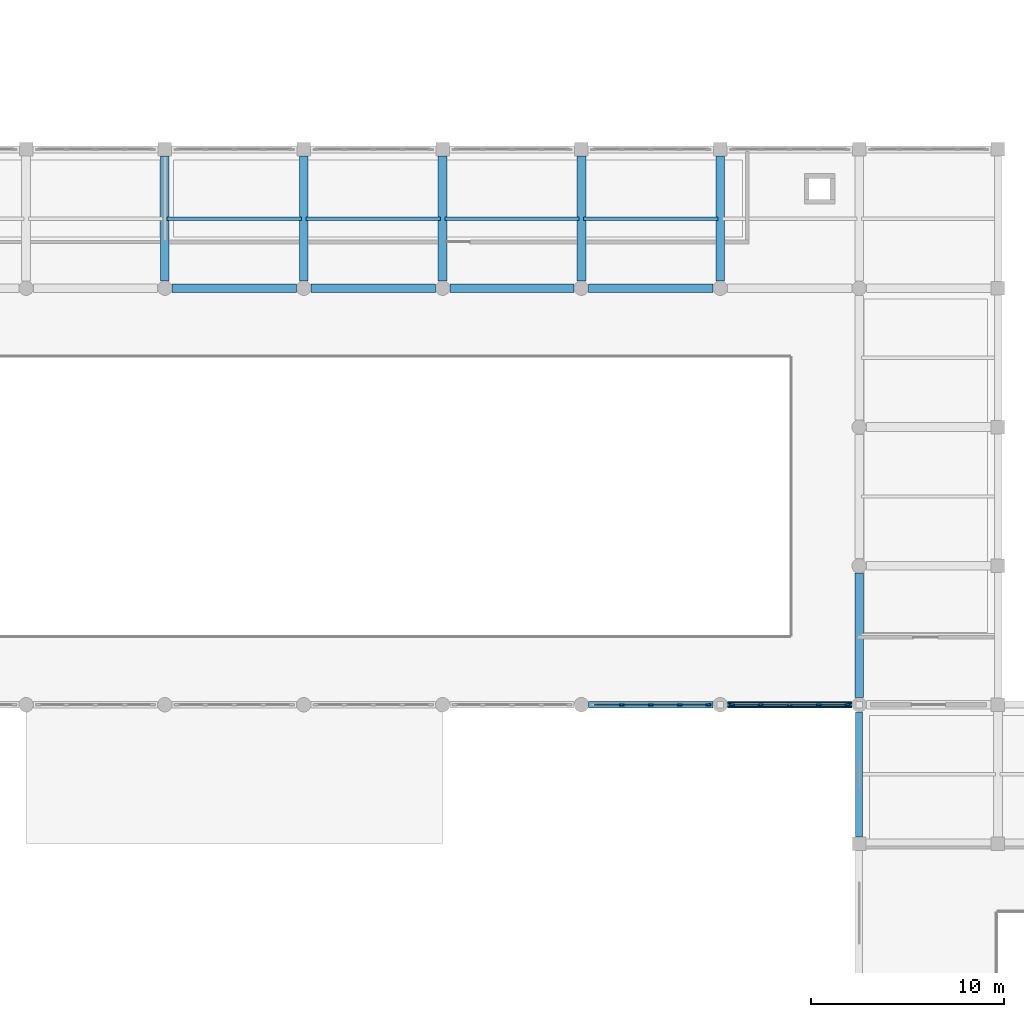
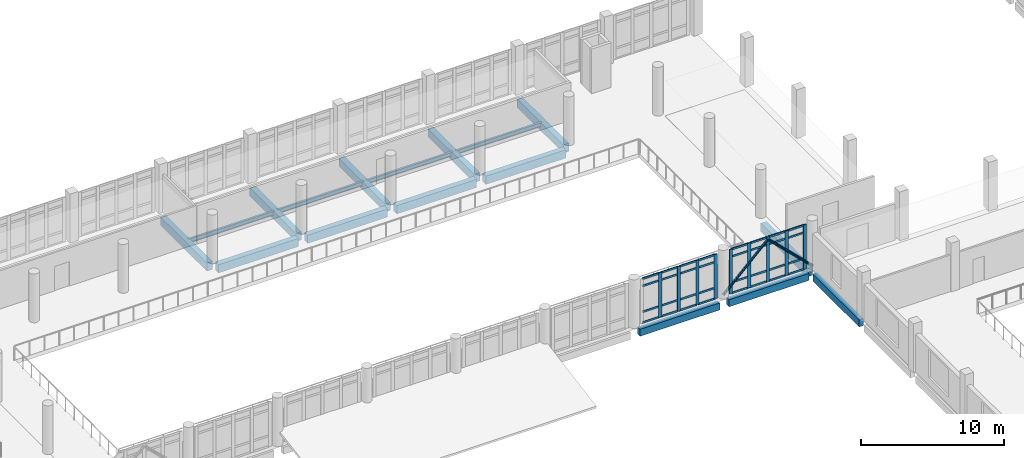
# One storey, part 13 of 57: 43 members, 17 beams, 2 elements without a shape of their own.
"""IFC4 building model written with IfcOpenShell, lengths in metres."""

from ifc_helpers import new_model, si_unit, direction, frame, origin, origin_2d, place, context, subcontext, project, spatial, rectangle, hollow_circle, i_section, extrude, material, layer, layer_set, material_profile, profile_set, type_object, element, aggregate, save


model = new_model("IFC4")

# Units and contexts
model_context = context("Model", 3, precision=1e-05, world=origin(), true_north=direction((0.0, 1.0)))
body_context = subcontext(model_context, "Body", "Model", "MODEL_VIEW")
ifc_project = project(units=[si_unit("LENGTHUNIT", "METRE"), si_unit("AREAUNIT", "SQUARE_METRE"), si_unit("VOLUMEUNIT", "CUBIC_METRE"), si_unit("PLANEANGLEUNIT", "RADIAN"), si_unit("MASSUNIT", "GRAM", prefix="KILO")], contexts=[model_context])

# Site, building, storey
site_placement = place(None, origin())
site = spatial("IfcSite", under=ifc_project, at=site_placement, CompositionType="ELEMENT")
building_placement = place(site_placement, origin())
building = spatial("IfcBuilding", under=site, at=building_placement, Name="Valkovuoma Quantum and Materials Research Institute", CompositionType="ELEMENT")
storey_placement = place(building_placement, frame((0.0, 0.0, 4.800048828125)))
storey = spatial("IfcBuildingStorey", under=building, at=storey_placement, Name="L01", CompositionType="ELEMENT", Elevation=4.800048828125)

# Beams
ifc_material_1 = material(Name="Steel S355J2", Category="steel")
ifc_material_profile_1 = material_profile(ifc_material_1, i_section(OverallWidth=0.169921875, OverallDepth=0.360107421875, WebThickness=0.008056640625, FlangeThickness=0.0126953125, FilletRadius=0.01806640625, at=origin_2d()), Name="Steel S355J2")
ifc_profile_set_1 = profile_set([ifc_material_profile_1], Name="Steel S355J2")
beam_type_1 = type_object("IfcBeamType", Name="Beam-B-JST360", PredefinedType="JOIST", material=ifc_profile_set_1)
for number, where, z_axis, x_axis, name in (
    (1, (64.919921875, 61.199951171875, -0.530029296875), (1.0, 0.0, 0.0), (0.0, 1.0, 0.0), "L01 floor joist 0913"),
    (2, (72.1201171875, 61.199951171875, -0.530029296875), (1.0, 0.0, 0.0), (0.0, 1.0, 0.0), "L01 floor joist 0914"),
    (3, (79.320068359375, 61.199951171875, -0.530029296875), (1.0, 0.0, 0.0), (0.0, 1.0, 0.0), "L01 floor joist 0915"),
    (4, (86.52001953125, 61.199951171875, -0.530029296875), (1.0, 0.0, 0.0), (0.0, 1.0, 0.0), "L01 floor joist 0916"),
):
    element("IfcBeam", number, at=place(storey_placement, frame(where, z_axis=z_axis, x_axis=x_axis)), inside=storey, type_object=beam_type_1, Name=name, PredefinedType="JOIST", context=body_context, shape_type="SweptSolid", body=[
        extrude(i_section(OverallWidth=0.169921875, OverallDepth=0.360107421875, WebThickness=0.008056640625, FlangeThickness=0.0126953125, FilletRadius=0.01806640625, at=origin_2d()), origin(), (0.0, 0.0, 1.0), 6.9599609375),
    ])
ifc_material_2 = material(Name="Concrete C40/50", Category="concrete")
ifc_material_profile_2 = material_profile(ifc_material_2, rectangle(XDim=0.449951171875, YDim=0.699951171875, at=origin_2d()), Name="Concrete C40/50")
ifc_profile_set_2 = profile_set([ifc_material_profile_2], Name="Concrete C40/50")
beam_type_2 = type_object("IfcBeamType", Name="Beam-B-RC700", PredefinedType="BEAM", material=ifc_profile_set_2)
for number, where, z_axis, x_axis, name in (
    (5, (65.175048828125, 57.60009765625, -0.699951171875), (1.0, 0.0, 0.0), (0.0, 1.0, 0.0), "L01 beam X-0617"),
    (6, (72.375, 57.60009765625, -0.699951171875), (1.0, 0.0, 0.0), (0.0, 1.0, 0.0), "L01 beam X-0618"),
    (7, (79.574951171875, 57.60009765625, -0.699951171875), (1.0, 0.0, 0.0), (0.0, 1.0, 0.0), "L01 beam X-0619"),
):
    element("IfcBeam", number, at=place(storey_placement, frame(where, z_axis=z_axis, x_axis=x_axis)), inside=storey, type_object=beam_type_2, Name=name, PredefinedType="BEAM", context=body_context, shape_type="SweptSolid", body=[
        extrude(rectangle(XDim=0.449951171875, YDim=0.699951171875, at=origin_2d()), origin(), (0.0, 0.0, 1.0), 6.449951171875),
    ])
beam_1_placement = place(storey_placement, frame((86.77490234375, 57.60009765625, -0.699951171875), z_axis=(1.0, 0.0, 0.0), x_axis=(0.0, 1.0, 0.0)))
element("IfcBeam", 8, at=beam_1_placement, inside=storey, type_object=beam_type_2, Name="L01 beam X-0620", PredefinedType="BEAM", context=body_context, shape_type="SweptSolid", body=[
    extrude(rectangle(XDim=0.449951171875, YDim=0.699951171875, at=origin_2d()), origin(), (0.0, 0.0, 1.0), 6.4501953125),
])
for number, where, z_axis, x_axis, name in (
    (9, (64.800048828125, 57.97509765625, -0.699951171875), (0.0, 1.0, 0.0), (-1.0, 0.0, 0.0), "L01 beam Y-0775"),
    (10, (72.0, 57.97509765625, -0.699951171875), (0.0, 1.0, 0.0), (-1.0, 0.0, 0.0), "L01 beam Y-0776"),
    (11, (79.199951171875, 57.97509765625, -0.699951171875), (0.0, 1.0, 0.0), (-1.0, 0.0, 0.0), "L01 beam Y-0777"),
    (12, (86.39990234375, 57.97509765625, -0.699951171875), (0.0, 1.0, 0.0), (-1.0, 0.0, 0.0), "L01 beam Y-0778"),
    (13, (93.60009765625, 57.97509765625, -0.699951171875), (0.0, 1.0, 0.0), (-1.0, 0.0, 0.0), "L01 beam Y-0779"),
):
    element("IfcBeam", number, at=place(storey_placement, frame(where, z_axis=z_axis, x_axis=x_axis)), inside=storey, type_object=beam_type_2, Name=name, PredefinedType="BEAM", context=body_context, shape_type="SweptSolid", body=[
        extrude(rectangle(XDim=0.449951171875, YDim=0.699951171875, at=origin_2d()), origin(), (0.0, 0.0, 1.0), 6.474853515625),
    ])
beam_2_placement = place(storey_placement, frame((100.800048828125, 36.375, -0.699951171875), z_axis=(0.0, 1.0, 0.0), x_axis=(-1.0, 0.0, 0.0)))
element("IfcBeam", 14, at=beam_2_placement, inside=storey, type_object=beam_type_2, Name="L01 beam Y-0784", PredefinedType="BEAM", context=body_context, shape_type="SweptSolid", body=[
    extrude(rectangle(XDim=0.449951171875, YDim=0.699951171875, at=origin_2d()), origin(), (0.0, 0.0, 1.0), 6.449951171875),
])
ifc_material_3 = material(Name="Concrete C40/50", Category="concrete")
ifc_material_profile_3 = material_profile(ifc_material_3, rectangle(XDim=0.35009765625, YDim=0.60009765625, at=origin_2d()), Name="Concrete C40/50")
ifc_profile_set_3 = profile_set([ifc_material_profile_3], Name="Concrete C40/50")
beam_type_3 = type_object("IfcBeamType", Name="Beam-B-SPN600", PredefinedType="SPANDREL", material=ifc_profile_set_3)
beam_3_placement = place(storey_placement, frame((86.77490234375, 36.0, -0.650146484375), z_axis=(1.0, 0.0, 0.0), x_axis=(0.0, 1.0, 0.0)))
element("IfcBeam", 15, at=beam_3_placement, inside=storey, type_object=beam_type_3, Name="L01 beam X-0574", PredefinedType="SPANDREL", context=body_context, shape_type="SweptSolid", body=[
    extrude(rectangle(XDim=0.35009765625, YDim=0.60009765625, at=origin_2d()), origin(), (0.0, 0.0, 1.0), 6.4501953125),
])
beam_4_placement = place(storey_placement, frame((93.97509765625, 36.0, -0.650146484375), z_axis=(1.0, 0.0, 0.0), x_axis=(0.0, 1.0, 0.0)))
element("IfcBeam", 16, at=beam_4_placement, inside=storey, type_object=beam_type_3, Name="L01 beam X-0575", PredefinedType="SPANDREL", context=body_context, shape_type="SweptSolid", body=[
    extrude(rectangle(XDim=0.35009765625, YDim=0.60009765625, at=origin_2d()), origin(), (0.0, 0.0, 1.0), 6.449951171875),
])
beam_5_placement = place(storey_placement, frame((100.800048828125, 29.14990234375, -0.650146484375), z_axis=(0.0, 1.0, 0.0), x_axis=(-1.0, 0.0, 0.0)))
element("IfcBeam", 17, at=beam_5_placement, inside=storey, type_object=beam_type_3, Name="L01 beam Y-0783", PredefinedType="SPANDREL", context=body_context, shape_type="SweptSolid", body=[
    extrude(rectangle(XDim=0.35009765625, YDim=0.60009765625, at=origin_2d()), origin(), (0.0, 0.0, 1.0), 6.47509765625),
])

# Curtain wall, members
ifc_material_4 = material(Name="Thermally broken aluminium and triple low-E glazing", Category="aluminium")
ifc_layer = layer(ifc_material_4, 0.219970703125)
ifc_layer_set = layer_set([ifc_layer], Name="Thermally broken aluminium and triple low-E glazing")
curtain_wall_type = type_object("IfcCurtainWallType", Name="CW-CW-02", PredefinedType="NOTDEFINED", material=ifc_layer_set)
curtain_wall_1_placement = place(storey_placement, origin())
curtain_wall_1 = element("IfcCurtainWall", 18, at=curtain_wall_1_placement, inside=storey, type_object=curtain_wall_type, Name="L01 curtain wall 169", PredefinedType="NOTDEFINED")
ifc_material_5 = material(Name="Anodised aluminium 6060-T66", Category="aluminium")
ifc_material_profile_4 = material_profile(ifc_material_5, rectangle(XDim=0.080078125, YDim=0.260009765625, at=origin_2d()), Name="Anodised aluminium 6060-T66")
ifc_profile_set_4 = profile_set([ifc_material_profile_4], Name="Anodised aluminium 6060-T66")
member_type_1 = type_object("IfcMemberType", Name="CWMull-CWM-03", PredefinedType="MULLION", material=ifc_profile_set_4)
member_1_placement = place(storey_placement, frame((88.489990234375, 36.0, 0.0), z_axis=(0.0, 0.0, 1.0), x_axis=(0.0, 1.0, 0.0)))
member_1 = element("IfcMember", 19, at=member_1_placement, type_object=member_type_1, Name="CW-02 mullion 2", PredefinedType="MULLION", context=body_context, shape_type="SweptSolid", body=[
    extrude(rectangle(XDim=0.080078125, YDim=0.260009765625, at=origin_2d()), origin(), (0.0, 0.0, 1.0), 3.81005859375),
])
member_2_placement = place(storey_placement, frame((90.0, 36.0, 0.0), z_axis=(0.0, 0.0, 1.0), x_axis=(0.0, 1.0, 0.0)))
member_2 = element("IfcMember", 20, at=member_2_placement, type_object=member_type_1, Name="CW-02 mullion 3", PredefinedType="MULLION", context=body_context, shape_type="SweptSolid", body=[
    extrude(rectangle(XDim=0.080078125, YDim=0.260009765625, at=origin_2d()), origin(), (0.0, 0.0, 1.0), 3.81005859375),
])
member_3_placement = place(storey_placement, frame((91.510009765625, 36.0, 0.0), z_axis=(0.0, 0.0, 1.0), x_axis=(0.0, 1.0, 0.0)))
member_3 = element("IfcMember", 21, at=member_3_placement, type_object=member_type_1, Name="CW-02 mullion 4", PredefinedType="MULLION", context=body_context, shape_type="SweptSolid", body=[
    extrude(rectangle(XDim=0.080078125, YDim=0.260009765625, at=origin_2d()), origin(), (0.0, 0.0, 1.0), 3.81005859375),
])
member_4_placement = place(storey_placement, frame((92.97998046875, 36.0, 0.0), z_axis=(0.0, 0.0, 1.0), x_axis=(0.0, 1.0, 0.0)))
member_4 = element("IfcMember", 22, at=member_4_placement, type_object=member_type_1, Name="CW-02 mullion 5", PredefinedType="MULLION", context=body_context, shape_type="SweptSolid", body=[
    extrude(rectangle(XDim=0.080078125, YDim=0.260009765625, at=origin_2d()), origin(), (0.0, 0.0, 1.0), 3.81005859375),
])

curtain_wall_2_placement = place(storey_placement, origin())
curtain_wall_2 = element("IfcCurtainWall", 23, at=curtain_wall_2_placement, inside=storey, type_object=curtain_wall_type, Name="L01 curtain wall 170", PredefinedType="NOTDEFINED")
member_5_placement = place(storey_placement, frame((94.219970703125, 36.0, 0.0), z_axis=(0.0, 0.0, 1.0), x_axis=(0.0, 1.0, 0.0)))
member_5 = element("IfcMember", 24, at=member_5_placement, type_object=member_type_1, Name="CW-02 mullion 1", PredefinedType="MULLION", context=body_context, shape_type="SweptSolid", body=[
    extrude(rectangle(XDim=0.080078125, YDim=0.260009765625, at=origin_2d()), origin(), (0.0, 0.0, 1.0), 3.81005859375),
])
member_6_placement = place(storey_placement, frame((95.68994140625, 36.0, 0.0), z_axis=(0.0, 0.0, 1.0), x_axis=(0.0, 1.0, 0.0)))
member_6 = element("IfcMember", 25, at=member_6_placement, type_object=member_type_1, Name="CW-02 mullion 2", PredefinedType="MULLION", context=body_context, shape_type="SweptSolid", body=[
    extrude(rectangle(XDim=0.080078125, YDim=0.260009765625, at=origin_2d()), origin(), (0.0, 0.0, 1.0), 3.81005859375),
])
member_7_placement = place(storey_placement, frame((97.199951171875, 36.0, 0.0), z_axis=(0.0, 0.0, 1.0), x_axis=(0.0, 1.0, 0.0)))
member_7 = element("IfcMember", 26, at=member_7_placement, type_object=member_type_1, Name="CW-02 mullion 3", PredefinedType="MULLION", context=body_context, shape_type="SweptSolid", body=[
    extrude(rectangle(XDim=0.080078125, YDim=0.260009765625, at=origin_2d()), origin(), (0.0, 0.0, 1.0), 3.81005859375),
])
member_8_placement = place(storey_placement, frame((98.7099609375, 36.0, 0.0), z_axis=(0.0, 0.0, 1.0), x_axis=(0.0, 1.0, 0.0)))
member_8 = element("IfcMember", 27, at=member_8_placement, type_object=member_type_1, Name="CW-02 mullion 4", PredefinedType="MULLION", context=body_context, shape_type="SweptSolid", body=[
    extrude(rectangle(XDim=0.080078125, YDim=0.260009765625, at=origin_2d()), origin(), (0.0, 0.0, 1.0), 3.81005859375),
])
member_9_placement = place(storey_placement, frame((100.179931640625, 36.0, 0.0), z_axis=(0.0, 0.0, 1.0), x_axis=(0.0, 1.0, 0.0)))
member_9 = element("IfcMember", 28, at=member_9_placement, type_object=member_type_1, Name="CW-02 mullion 5", PredefinedType="MULLION", context=body_context, shape_type="SweptSolid", body=[
    extrude(rectangle(XDim=0.080078125, YDim=0.260009765625, at=origin_2d()), origin(), (0.0, 0.0, 1.0), 3.81005859375),
])

# Member
ifc_material_6 = material(Name="Anodised aluminium 6060-T66", Category="aluminium")
ifc_material_profile_5 = material_profile(ifc_material_6, rectangle(XDim=0.074951171875, YDim=0.159912109375, at=origin_2d()), Name="Anodised aluminium 6060-T66")
ifc_profile_set_5 = profile_set([ifc_material_profile_5], Name="Anodised aluminium 6060-T66")
member_type_2 = type_object("IfcMemberType", Name="CWTran-CWT-02", PredefinedType="USERDEFINED", material=ifc_profile_set_5)
member_10_placement = place(storey_placement, frame((87.06005859375, 36.0, 0.037353515625), z_axis=(1.0, 0.0, 0.0), x_axis=(0.0, 1.0, 0.0)))
member_10 = element("IfcMember", 29, at=member_10_placement, type_object=member_type_2, Name="CW-02 transom 1.1", ObjectType="TRANSOM", PredefinedType="USERDEFINED", context=body_context, shape_type="SweptSolid", body=[
    extrude(rectangle(XDim=0.074951171875, YDim=0.159912109375, at=origin_2d()), origin(), (0.0, 0.0, 1.0), 1.389892578125),
])

member_11_placement = place(storey_placement, frame((87.06005859375, 36.0, 0.949951171875), z_axis=(1.0, 0.0, 0.0), x_axis=(0.0, 1.0, 0.0)))
member_11 = element("IfcMember", 30, at=member_11_placement, type_object=member_type_2, Name="CW-02 transom 1.2", ObjectType="TRANSOM", PredefinedType="USERDEFINED", context=body_context, shape_type="SweptSolid", body=[
    extrude(rectangle(XDim=0.074951171875, YDim=0.159912109375, at=origin_2d()), origin(), (0.0, 0.0, 1.0), 1.389892578125),
])

member_12_placement = place(storey_placement, frame((87.06005859375, 36.0, 3.159912109375), z_axis=(1.0, 0.0, 0.0), x_axis=(0.0, 1.0, 0.0)))
member_12 = element("IfcMember", 31, at=member_12_placement, type_object=member_type_2, Name="CW-02 transom 1.3", ObjectType="TRANSOM", PredefinedType="USERDEFINED", context=body_context, shape_type="SweptSolid", body=[
    extrude(rectangle(XDim=0.074951171875, YDim=0.159912109375, at=origin_2d()), origin(), (0.0, 0.0, 1.0), 1.389892578125),
])

member_13_placement = place(storey_placement, frame((87.06005859375, 36.0, 3.7724609375), z_axis=(1.0, 0.0, 0.0), x_axis=(0.0, 1.0, 0.0)))
member_13 = element("IfcMember", 32, at=member_13_placement, type_object=member_type_2, Name="CW-02 transom 1.4", ObjectType="TRANSOM", PredefinedType="USERDEFINED", context=body_context, shape_type="SweptSolid", body=[
    extrude(rectangle(XDim=0.074951171875, YDim=0.159912109375, at=origin_2d()), origin(), (0.0, 0.0, 1.0), 1.389892578125),
])

member_14_placement = place(storey_placement, frame((88.530029296875, 36.0, 0.037353515625), z_axis=(1.0, 0.0, 0.0), x_axis=(0.0, 1.0, 0.0)))
member_14 = element("IfcMember", 33, at=member_14_placement, type_object=member_type_2, Name="CW-02 transom 2.1", ObjectType="TRANSOM", PredefinedType="USERDEFINED", context=body_context, shape_type="SweptSolid", body=[
    extrude(rectangle(XDim=0.074951171875, YDim=0.159912109375, at=origin_2d()), origin(), (0.0, 0.0, 1.0), 1.429931640625),
])

member_15_placement = place(storey_placement, frame((88.530029296875, 36.0, 0.949951171875), z_axis=(1.0, 0.0, 0.0), x_axis=(0.0, 1.0, 0.0)))
member_15 = element("IfcMember", 34, at=member_15_placement, type_object=member_type_2, Name="CW-02 transom 2.2", ObjectType="TRANSOM", PredefinedType="USERDEFINED", context=body_context, shape_type="SweptSolid", body=[
    extrude(rectangle(XDim=0.074951171875, YDim=0.159912109375, at=origin_2d()), origin(), (0.0, 0.0, 1.0), 1.429931640625),
])

member_16_placement = place(storey_placement, frame((88.530029296875, 36.0, 3.159912109375), z_axis=(1.0, 0.0, 0.0), x_axis=(0.0, 1.0, 0.0)))
member_16 = element("IfcMember", 35, at=member_16_placement, type_object=member_type_2, Name="CW-02 transom 2.3", ObjectType="TRANSOM", PredefinedType="USERDEFINED", context=body_context, shape_type="SweptSolid", body=[
    extrude(rectangle(XDim=0.074951171875, YDim=0.159912109375, at=origin_2d()), origin(), (0.0, 0.0, 1.0), 1.429931640625),
])

member_17_placement = place(storey_placement, frame((88.530029296875, 36.0, 3.7724609375), z_axis=(1.0, 0.0, 0.0), x_axis=(0.0, 1.0, 0.0)))
member_17 = element("IfcMember", 36, at=member_17_placement, type_object=member_type_2, Name="CW-02 transom 2.4", ObjectType="TRANSOM", PredefinedType="USERDEFINED", context=body_context, shape_type="SweptSolid", body=[
    extrude(rectangle(XDim=0.074951171875, YDim=0.159912109375, at=origin_2d()), origin(), (0.0, 0.0, 1.0), 1.429931640625),
])

member_18_placement = place(storey_placement, frame((90.0400390625, 36.0, 0.037353515625), z_axis=(1.0, 0.0, 0.0), x_axis=(0.0, 1.0, 0.0)))
member_18 = element("IfcMember", 37, at=member_18_placement, type_object=member_type_2, Name="CW-02 transom 3.1", ObjectType="TRANSOM", PredefinedType="USERDEFINED", context=body_context, shape_type="SweptSolid", body=[
    extrude(rectangle(XDim=0.074951171875, YDim=0.159912109375, at=origin_2d()), origin(), (0.0, 0.0, 1.0), 1.429931640625),
])

member_19_placement = place(storey_placement, frame((90.0400390625, 36.0, 0.949951171875), z_axis=(1.0, 0.0, 0.0), x_axis=(0.0, 1.0, 0.0)))
member_19 = element("IfcMember", 38, at=member_19_placement, type_object=member_type_2, Name="CW-02 transom 3.2", ObjectType="TRANSOM", PredefinedType="USERDEFINED", context=body_context, shape_type="SweptSolid", body=[
    extrude(rectangle(XDim=0.074951171875, YDim=0.159912109375, at=origin_2d()), origin(), (0.0, 0.0, 1.0), 1.429931640625),
])

member_20_placement = place(storey_placement, frame((90.0400390625, 36.0, 3.159912109375), z_axis=(1.0, 0.0, 0.0), x_axis=(0.0, 1.0, 0.0)))
member_20 = element("IfcMember", 39, at=member_20_placement, type_object=member_type_2, Name="CW-02 transom 3.3", ObjectType="TRANSOM", PredefinedType="USERDEFINED", context=body_context, shape_type="SweptSolid", body=[
    extrude(rectangle(XDim=0.074951171875, YDim=0.159912109375, at=origin_2d()), origin(), (0.0, 0.0, 1.0), 1.429931640625),
])

member_21_placement = place(storey_placement, frame((90.0400390625, 36.0, 3.7724609375), z_axis=(1.0, 0.0, 0.0), x_axis=(0.0, 1.0, 0.0)))
member_21 = element("IfcMember", 40, at=member_21_placement, type_object=member_type_2, Name="CW-02 transom 3.4", ObjectType="TRANSOM", PredefinedType="USERDEFINED", context=body_context, shape_type="SweptSolid", body=[
    extrude(rectangle(XDim=0.074951171875, YDim=0.159912109375, at=origin_2d()), origin(), (0.0, 0.0, 1.0), 1.429931640625),
])

member_22_placement = place(storey_placement, frame((91.550048828125, 36.0, 0.037353515625), z_axis=(1.0, 0.0, 0.0), x_axis=(0.0, 1.0, 0.0)))
member_22 = element("IfcMember", 41, at=member_22_placement, type_object=member_type_2, Name="CW-02 transom 4.1", ObjectType="TRANSOM", PredefinedType="USERDEFINED", context=body_context, shape_type="SweptSolid", body=[
    extrude(rectangle(XDim=0.074951171875, YDim=0.159912109375, at=origin_2d()), origin(), (0.0, 0.0, 1.0), 1.389892578125),
])

member_23_placement = place(storey_placement, frame((91.550048828125, 36.0, 0.949951171875), z_axis=(1.0, 0.0, 0.0), x_axis=(0.0, 1.0, 0.0)))
member_23 = element("IfcMember", 42, at=member_23_placement, type_object=member_type_2, Name="CW-02 transom 4.2", ObjectType="TRANSOM", PredefinedType="USERDEFINED", context=body_context, shape_type="SweptSolid", body=[
    extrude(rectangle(XDim=0.074951171875, YDim=0.159912109375, at=origin_2d()), origin(), (0.0, 0.0, 1.0), 1.389892578125),
])

member_24_placement = place(storey_placement, frame((91.550048828125, 36.0, 3.159912109375), z_axis=(1.0, 0.0, 0.0), x_axis=(0.0, 1.0, 0.0)))
member_24 = element("IfcMember", 43, at=member_24_placement, type_object=member_type_2, Name="CW-02 transom 4.3", ObjectType="TRANSOM", PredefinedType="USERDEFINED", context=body_context, shape_type="SweptSolid", body=[
    extrude(rectangle(XDim=0.074951171875, YDim=0.159912109375, at=origin_2d()), origin(), (0.0, 0.0, 1.0), 1.389892578125),
])

member_25_placement = place(storey_placement, frame((91.550048828125, 36.0, 3.7724609375), z_axis=(1.0, 0.0, 0.0), x_axis=(0.0, 1.0, 0.0)))
member_25 = element("IfcMember", 44, at=member_25_placement, type_object=member_type_2, Name="CW-02 transom 4.4", ObjectType="TRANSOM", PredefinedType="USERDEFINED", context=body_context, shape_type="SweptSolid", body=[
    extrude(rectangle(XDim=0.074951171875, YDim=0.159912109375, at=origin_2d()), origin(), (0.0, 0.0, 1.0), 1.389892578125),
])

aggregate(curtain_wall_1, [member_1, member_2, member_3, member_4, member_10, member_11, member_12, member_13, member_14, member_15, member_16, member_17, member_18, member_19, member_20, member_21, member_22, member_23, member_24, member_25])

member_26_placement = place(storey_placement, frame((94.260009765625, 36.0, 0.037353515625), z_axis=(1.0, 0.0, 0.0), x_axis=(0.0, 1.0, 0.0)))
member_26 = element("IfcMember", 45, at=member_26_placement, type_object=member_type_2, Name="CW-02 transom 1.1", ObjectType="TRANSOM", PredefinedType="USERDEFINED", context=body_context, shape_type="SweptSolid", body=[
    extrude(rectangle(XDim=0.074951171875, YDim=0.159912109375, at=origin_2d()), origin(), (0.0, 0.0, 1.0), 1.389892578125),
])

member_27_placement = place(storey_placement, frame((94.260009765625, 36.0, 0.949951171875), z_axis=(1.0, 0.0, 0.0), x_axis=(0.0, 1.0, 0.0)))
member_27 = element("IfcMember", 46, at=member_27_placement, type_object=member_type_2, Name="CW-02 transom 1.2", ObjectType="TRANSOM", PredefinedType="USERDEFINED", context=body_context, shape_type="SweptSolid", body=[
    extrude(rectangle(XDim=0.074951171875, YDim=0.159912109375, at=origin_2d()), origin(), (0.0, 0.0, 1.0), 1.389892578125),
])

member_28_placement = place(storey_placement, frame((94.260009765625, 36.0, 3.159912109375), z_axis=(1.0, 0.0, 0.0), x_axis=(0.0, 1.0, 0.0)))
member_28 = element("IfcMember", 47, at=member_28_placement, type_object=member_type_2, Name="CW-02 transom 1.3", ObjectType="TRANSOM", PredefinedType="USERDEFINED", context=body_context, shape_type="SweptSolid", body=[
    extrude(rectangle(XDim=0.074951171875, YDim=0.159912109375, at=origin_2d()), origin(), (0.0, 0.0, 1.0), 1.389892578125),
])

member_29_placement = place(storey_placement, frame((94.260009765625, 36.0, 3.7724609375), z_axis=(1.0, 0.0, 0.0), x_axis=(0.0, 1.0, 0.0)))
member_29 = element("IfcMember", 48, at=member_29_placement, type_object=member_type_2, Name="CW-02 transom 1.4", ObjectType="TRANSOM", PredefinedType="USERDEFINED", context=body_context, shape_type="SweptSolid", body=[
    extrude(rectangle(XDim=0.074951171875, YDim=0.159912109375, at=origin_2d()), origin(), (0.0, 0.0, 1.0), 1.389892578125),
])

member_30_placement = place(storey_placement, frame((95.72998046875, 36.0, 0.037353515625), z_axis=(1.0, 0.0, 0.0), x_axis=(0.0, 1.0, 0.0)))
member_30 = element("IfcMember", 49, at=member_30_placement, type_object=member_type_2, Name="CW-02 transom 2.1", ObjectType="TRANSOM", PredefinedType="USERDEFINED", context=body_context, shape_type="SweptSolid", body=[
    extrude(rectangle(XDim=0.074951171875, YDim=0.159912109375, at=origin_2d()), origin(), (0.0, 0.0, 1.0), 1.429931640625),
])

member_31_placement = place(storey_placement, frame((95.72998046875, 36.0, 0.949951171875), z_axis=(1.0, 0.0, 0.0), x_axis=(0.0, 1.0, 0.0)))
member_31 = element("IfcMember", 50, at=member_31_placement, type_object=member_type_2, Name="CW-02 transom 2.2", ObjectType="TRANSOM", PredefinedType="USERDEFINED", context=body_context, shape_type="SweptSolid", body=[
    extrude(rectangle(XDim=0.074951171875, YDim=0.159912109375, at=origin_2d()), origin(), (0.0, 0.0, 1.0), 1.429931640625),
])

member_32_placement = place(storey_placement, frame((95.72998046875, 36.0, 3.159912109375), z_axis=(1.0, 0.0, 0.0), x_axis=(0.0, 1.0, 0.0)))
member_32 = element("IfcMember", 51, at=member_32_placement, type_object=member_type_2, Name="CW-02 transom 2.3", ObjectType="TRANSOM", PredefinedType="USERDEFINED", context=body_context, shape_type="SweptSolid", body=[
    extrude(rectangle(XDim=0.074951171875, YDim=0.159912109375, at=origin_2d()), origin(), (0.0, 0.0, 1.0), 1.429931640625),
])

member_33_placement = place(storey_placement, frame((95.72998046875, 36.0, 3.7724609375), z_axis=(1.0, 0.0, 0.0), x_axis=(0.0, 1.0, 0.0)))
member_33 = element("IfcMember", 52, at=member_33_placement, type_object=member_type_2, Name="CW-02 transom 2.4", ObjectType="TRANSOM", PredefinedType="USERDEFINED", context=body_context, shape_type="SweptSolid", body=[
    extrude(rectangle(XDim=0.074951171875, YDim=0.159912109375, at=origin_2d()), origin(), (0.0, 0.0, 1.0), 1.429931640625),
])

member_34_placement = place(storey_placement, frame((97.239990234375, 36.0, 0.037353515625), z_axis=(1.0, 0.0, 0.0), x_axis=(0.0, 1.0, 0.0)))
member_34 = element("IfcMember", 53, at=member_34_placement, type_object=member_type_2, Name="CW-02 transom 3.1", ObjectType="TRANSOM", PredefinedType="USERDEFINED", context=body_context, shape_type="SweptSolid", body=[
    extrude(rectangle(XDim=0.074951171875, YDim=0.159912109375, at=origin_2d()), origin(), (0.0, 0.0, 1.0), 1.429931640625),
])

member_35_placement = place(storey_placement, frame((97.239990234375, 36.0, 0.949951171875), z_axis=(1.0, 0.0, 0.0), x_axis=(0.0, 1.0, 0.0)))
member_35 = element("IfcMember", 54, at=member_35_placement, type_object=member_type_2, Name="CW-02 transom 3.2", ObjectType="TRANSOM", PredefinedType="USERDEFINED", context=body_context, shape_type="SweptSolid", body=[
    extrude(rectangle(XDim=0.074951171875, YDim=0.159912109375, at=origin_2d()), origin(), (0.0, 0.0, 1.0), 1.429931640625),
])

member_36_placement = place(storey_placement, frame((97.239990234375, 36.0, 3.159912109375), z_axis=(1.0, 0.0, 0.0), x_axis=(0.0, 1.0, 0.0)))
member_36 = element("IfcMember", 55, at=member_36_placement, type_object=member_type_2, Name="CW-02 transom 3.3", ObjectType="TRANSOM", PredefinedType="USERDEFINED", context=body_context, shape_type="SweptSolid", body=[
    extrude(rectangle(XDim=0.074951171875, YDim=0.159912109375, at=origin_2d()), origin(), (0.0, 0.0, 1.0), 1.429931640625),
])

member_37_placement = place(storey_placement, frame((97.239990234375, 36.0, 3.7724609375), z_axis=(1.0, 0.0, 0.0), x_axis=(0.0, 1.0, 0.0)))
member_37 = element("IfcMember", 56, at=member_37_placement, type_object=member_type_2, Name="CW-02 transom 3.4", ObjectType="TRANSOM", PredefinedType="USERDEFINED", context=body_context, shape_type="SweptSolid", body=[
    extrude(rectangle(XDim=0.074951171875, YDim=0.159912109375, at=origin_2d()), origin(), (0.0, 0.0, 1.0), 1.429931640625),
])

member_38_placement = place(storey_placement, frame((98.75, 36.0, 0.037353515625), z_axis=(1.0, 0.0, 0.0), x_axis=(0.0, 1.0, 0.0)))
member_38 = element("IfcMember", 57, at=member_38_placement, type_object=member_type_2, Name="CW-02 transom 4.1", ObjectType="TRANSOM", PredefinedType="USERDEFINED", context=body_context, shape_type="SweptSolid", body=[
    extrude(rectangle(XDim=0.074951171875, YDim=0.159912109375, at=origin_2d()), origin(), (0.0, 0.0, 1.0), 1.389892578125),
])

member_39_placement = place(storey_placement, frame((98.75, 36.0, 0.949951171875), z_axis=(1.0, 0.0, 0.0), x_axis=(0.0, 1.0, 0.0)))
member_39 = element("IfcMember", 58, at=member_39_placement, type_object=member_type_2, Name="CW-02 transom 4.2", ObjectType="TRANSOM", PredefinedType="USERDEFINED", context=body_context, shape_type="SweptSolid", body=[
    extrude(rectangle(XDim=0.074951171875, YDim=0.159912109375, at=origin_2d()), origin(), (0.0, 0.0, 1.0), 1.389892578125),
])

member_40_placement = place(storey_placement, frame((98.75, 36.0, 3.159912109375), z_axis=(1.0, 0.0, 0.0), x_axis=(0.0, 1.0, 0.0)))
member_40 = element("IfcMember", 59, at=member_40_placement, type_object=member_type_2, Name="CW-02 transom 4.3", ObjectType="TRANSOM", PredefinedType="USERDEFINED", context=body_context, shape_type="SweptSolid", body=[
    extrude(rectangle(XDim=0.074951171875, YDim=0.159912109375, at=origin_2d()), origin(), (0.0, 0.0, 1.0), 1.389892578125),
])

member_41_placement = place(storey_placement, frame((98.75, 36.0, 3.7724609375), z_axis=(1.0, 0.0, 0.0), x_axis=(0.0, 1.0, 0.0)))
member_41 = element("IfcMember", 60, at=member_41_placement, type_object=member_type_2, Name="CW-02 transom 4.4", ObjectType="TRANSOM", PredefinedType="USERDEFINED", context=body_context, shape_type="SweptSolid", body=[
    extrude(rectangle(XDim=0.074951171875, YDim=0.159912109375, at=origin_2d()), origin(), (0.0, 0.0, 1.0), 1.389892578125),
])

aggregate(curtain_wall_2, [member_5, member_6, member_7, member_8, member_9, member_26, member_27, member_28, member_29, member_30, member_31, member_32, member_33, member_34, member_35, member_36, member_37, member_38, member_39, member_40, member_41])

# Members
ifc_material_7 = material(Name="Steel S355J2H", Category="steel")
ifc_material_profile_6 = material_profile(ifc_material_7, hollow_circle(Radius=0.109619140625, WallThickness=0.010009765625, at=origin_2d()), Name="Steel S355J2H")
ifc_profile_set_6 = profile_set([ifc_material_profile_6], Name="Steel S355J2H")
member_type_3 = type_object("IfcMemberType", Name="Mem-M-BRC219", PredefinedType="BRACE", material=ifc_profile_set_6)
member_42_placement = place(storey_placement, frame((93.60009765625, 36.0, 0.099853515625), z_axis=(0.715984969996, 0.0, 0.69811569438), x_axis=(0.0, 1.0, 0.0)))
element("IfcMember", 61, at=member_42_placement, inside=storey, type_object=member_type_3, Name="L01 chevron wind brace 06A", PredefinedType="BRACE", context=body_context, shape_type="SweptSolid", body=[
    extrude(hollow_circle(Radius=0.109619140625, WallThickness=0.010009765625, at=origin_2d()), origin(), (0.0, 0.0, 1.0), 5.02783203125),
])
member_43_placement = place(storey_placement, frame((100.800048828125, 36.0, 0.099853515625), z_axis=(-0.716008634166, 0.0, 0.698091423668), x_axis=(0.0, -1.0, 0.0)))
element("IfcMember", 62, at=member_43_placement, inside=storey, type_object=member_type_3, Name="L01 chevron wind brace 06B", PredefinedType="BRACE", context=body_context, shape_type="SweptSolid", body=[
    extrude(hollow_circle(Radius=0.109619140625, WallThickness=0.010009765625, at=origin_2d()), origin(), (0.0, 0.0, 1.0), 5.028076171875),
])

save(model, "model.ifc")
